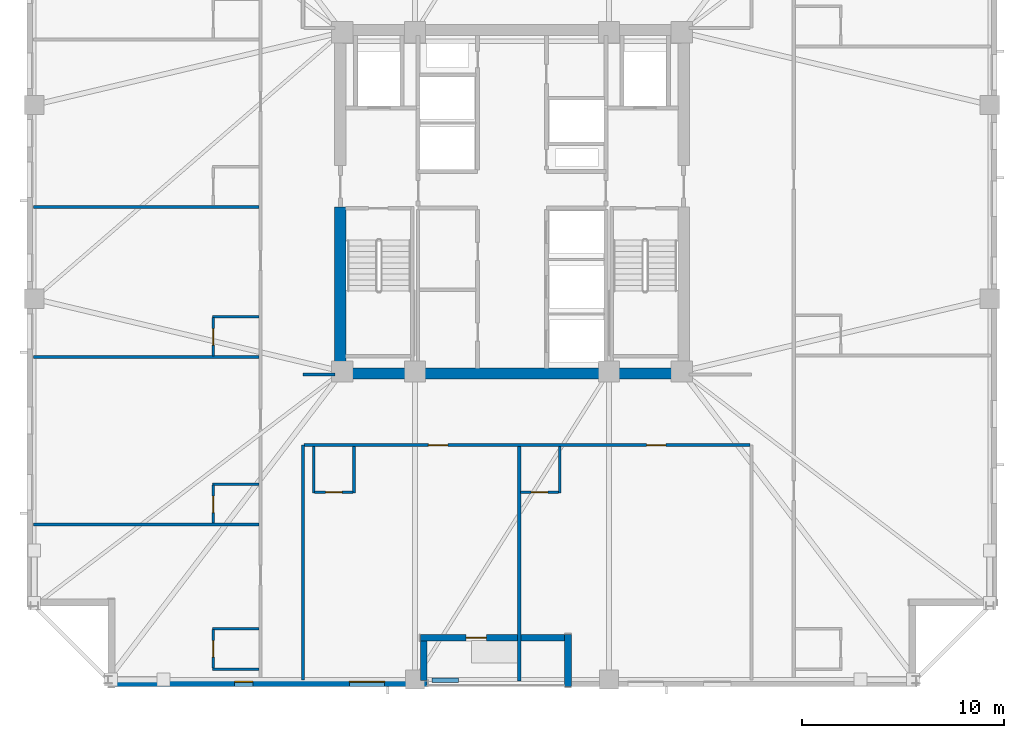
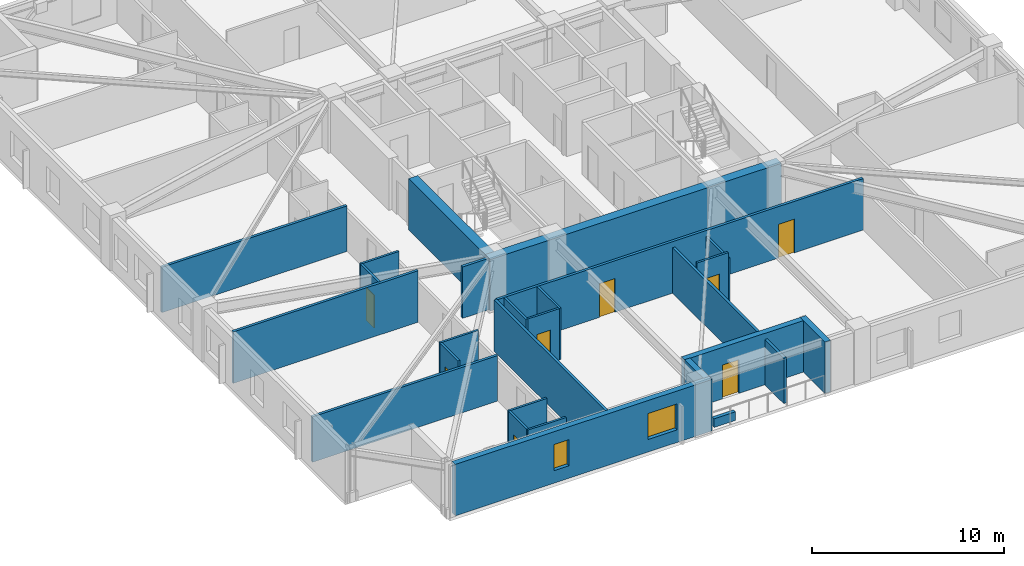
# One storey, part 2 of 11: 26 walls, 8 doors, 2 windows, 10 openings.
"""IFC4 building model written with IfcOpenShell, lengths in metres."""

from ifc_helpers import new_model, si_unit, direction, frame, frame_2d, origin, place, context, subcontext, project, spatial, rectangle, extrude, material, layer, layer_set, type_object, element, fill, save


model = new_model("IFC4")

# Units and contexts
model_context = context("Model", 3, precision=1e-05, world=origin(), true_north=direction((0.0, 1.0)))
body_context = subcontext(model_context, "Body", "Model", "MODEL_VIEW")
ifc_project = project(units=[si_unit("LENGTHUNIT", "METRE"), si_unit("AREAUNIT", "SQUARE_METRE"), si_unit("VOLUMEUNIT", "CUBIC_METRE"), si_unit("PLANEANGLEUNIT", "RADIAN"), si_unit("MASSUNIT", "GRAM", prefix="KILO")], contexts=[model_context])

# Site, building, storey
site_placement = place(None, origin())
site = spatial("IfcSite", under=ifc_project, at=site_placement, CompositionType="ELEMENT")
building_placement = place(site_placement, origin())
building = spatial("IfcBuilding", under=site, at=building_placement, Name="Cairnveth Concourse Tower", CompositionType="ELEMENT")
storey_placement = place(building_placement, frame((0.0, 0.0, 151.5)))
storey = spatial("IfcBuildingStorey", under=building, at=storey_placement, Name="L41", CompositionType="ELEMENT", Elevation=151.5)

# Walls
ifc_material_1 = material(Name="Gypsum Plasterboard Partition", Category="gypsum")
ifc_layer_1 = layer(ifc_material_1, 0.159912109375)
ifc_layer_set_1 = layer_set([ifc_layer_1], Name="Gypsum Plasterboard Partition")
wall_type_1 = type_object("IfcWallType", Name="ACOUSTIC PARTY WALL 180", PredefinedType="PARTITIONING", material=ifc_layer_set_1)
wall_1_placement = place(storey_placement, frame((41.64990234375, 15.324951171875, 0.0), z_axis=(0.0, 0.0, 1.0), x_axis=(0.0, 1.0, 0.0)))
element("IfcWall", 1, at=wall_1_placement, inside=storey, type_object=wall_type_1, Name="Interior Wall IW-L41-037", PredefinedType="PARTITIONING", context=body_context, shape_type="SweptSolid", body=[
    extrude(rectangle(XDim=11.635009765625, YDim=0.159912109375, at=frame_2d((5.8173828125, 0.0))), origin(), (0.0, 0.0, 1.0), 3.280029296875),
])
wall_2_placement = place(storey_placement, frame((41.64990234375, 30.449951171875, 0.0), z_axis=(0.0, 0.0, 1.0), x_axis=(1.0, 0.0, 0.0)))
element("IfcWall", 2, at=wall_2_placement, inside=storey, type_object=wall_type_1, Name="Interior Wall IW-L41-039", PredefinedType="PARTITIONING", context=body_context, shape_type="SweptSolid", body=[
    extrude(rectangle(XDim=1.585205078125, YDim=0.159912109375, at=frame_2d((0.79248046875, 0.0))), origin(), (0.0, 0.0, 1.0), 3.280029296875),
])

# Wall, openings, doors
wall_3_placement = place(storey_placement, frame((41.715087890625, 26.9599609375, 0.0), z_axis=(0.0, 0.0, 1.0), x_axis=(1.0, 0.0, 0.0)))
wall_3 = element("IfcWall", 3, at=wall_3_placement, inside=storey, type_object=wall_type_1, Name="Interior Wall IW-L41-046", PredefinedType="PARTITIONING", context=body_context, shape_type="SweptSolid", body=[
    extrude(rectangle(XDim=22.06982421875, YDim=0.159912109375, at=frame_2d((11.034912109375, 0.0))), origin(), (0.0, 0.0, 1.0), 3.280029296875),
])
opening_1_placement = place(wall_3_placement, frame((6.14990234375, 0.0, 0.0)))
opening_1 = element("IfcOpeningElement", 4, at=opening_1_placement, cuts=wall_3, Name="Opening ID09", PredefinedType="OPENING", context=body_context, shape_type="SweptSolid", body=[
    extrude(rectangle(XDim=0.9599609375, YDim=2.14990234375, at=frame_2d((0.47998046875, 1.074951171875))), frame((0.0, 0.08984375, 0.0), z_axis=(0.0, -1.0, 0.0), x_axis=(1.0, 0.0, 0.0)), (0.0, 0.0, 1.0), 0.179931640625),
])
opening_2_placement = place(wall_3_placement, frame((16.945068359375, 0.0, 0.0)))
opening_2 = element("IfcOpeningElement", 5, at=opening_2_placement, cuts=wall_3, Name="Opening ID09", PredefinedType="OPENING", context=body_context, shape_type="SweptSolid", body=[
    extrude(rectangle(XDim=0.9599609375, YDim=2.14990234375, at=frame_2d((0.47998046875, 1.074951171875))), frame((0.0, 0.08984375, 0.0), z_axis=(0.0, -1.0, 0.0), x_axis=(1.0, 0.0, 0.0)), (0.0, 0.0, 1.0), 0.179931640625),
])
ifc_material_2 = material(Name="Solid Core Hardwood Timber Leaf", Category="wood")
door_type_1 = type_object("IfcDoorType", Name="HOTEL ENTRANCE DOOR 960X2150", OperationType="NOTDEFINED", PredefinedType="DOOR", material=ifc_material_2)
door_1_placement = place(opening_1_placement, origin())
door_1 = element("IfcDoor", 6, at=door_1_placement, inside=storey, type_object=door_type_1, Name="Hotel Room Door L41-S1", OperationType="SINGLE_SWING_LEFT", OverallHeight=2.14990234375, OverallWidth=0.9599609375, PredefinedType="DOOR", context=body_context, shape_type="SweptSolid", body=[
    extrude(rectangle(XDim=0.9599609375, YDim=2.14990234375, at=frame_2d((0.47998046875, 1.074951171875))), frame((0.0, 0.02490234375, 0.0), z_axis=(0.0, -1.0, 0.0), x_axis=(1.0, 0.0, 0.0)), (0.0, 0.0, 1.0), 0.050048828125),
])
fill(opening_1, door_1)
door_2_placement = place(opening_2_placement, origin())
door_2 = element("IfcDoor", 7, at=door_2_placement, inside=storey, type_object=door_type_1, Name="Hotel Room Door L41-S2", OperationType="SINGLE_SWING_LEFT", OverallHeight=2.14990234375, OverallWidth=0.9599609375, PredefinedType="DOOR", context=body_context, shape_type="SweptSolid", body=[
    extrude(rectangle(XDim=0.9599609375, YDim=2.14990234375, at=frame_2d((0.47998046875, 1.074951171875))), frame((0.0, 0.02490234375, 0.0), z_axis=(0.0, -1.0, 0.0), x_axis=(1.0, 0.0, 0.0)), (0.0, 0.0, 1.0), 0.050048828125),
])
fill(opening_2, door_2)

# Walls
wall_4_placement = place(storey_placement, frame((52.360107421875, 15.27001953125, 0.0), z_axis=(0.0, 0.0, 1.0), x_axis=(0.0, 1.0, 0.0)))
element("IfcWall", 8, at=wall_4_placement, inside=storey, type_object=wall_type_1, Name="Interior Wall IW-L41-052", PredefinedType="PARTITIONING", context=body_context, shape_type="SweptSolid", body=[
    extrude(rectangle(XDim=11.60986328125, YDim=0.159912109375, at=frame_2d((5.804931640625, 0.0))), origin(), (0.0, 0.0, 1.0), 2.89599609375),
])
wall_5_placement = place(storey_placement, frame((28.324951171875, 23.026611328125, 0.0), z_axis=(0.0, 0.0, 1.0), x_axis=(1.0, 0.0, 0.0)))
element("IfcWall", 9, at=wall_5_placement, inside=storey, type_object=wall_type_1, Name="Interior Wall IW-L41-058", PredefinedType="PARTITIONING", context=body_context, shape_type="SweptSolid", body=[
    extrude(rectangle(XDim=11.14501953125, YDim=0.159912109375, at=frame_2d((5.572509765625, 0.0))), origin(), (0.0, 0.0, 1.0), 2.89599609375),
])
wall_6_placement = place(storey_placement, frame((28.324951171875, 31.3154296875, 0.0), z_axis=(0.0, 0.0, 1.0), x_axis=(1.0, 0.0, 0.0)))
element("IfcWall", 10, at=wall_6_placement, inside=storey, type_object=wall_type_1, Name="Interior Wall IW-L41-061", PredefinedType="PARTITIONING", context=body_context, shape_type="SweptSolid", body=[
    extrude(rectangle(XDim=11.14501953125, YDim=0.159912109375, at=frame_2d((5.572509765625, 0.0))), origin(), (0.0, 0.0, 1.0), 3.280029296875),
])
wall_7_placement = place(storey_placement, frame((28.324951171875, 38.74658203125, 0.0), z_axis=(0.0, 0.0, 1.0), x_axis=(1.0, 0.0, 0.0)))
element("IfcWall", 11, at=wall_7_placement, inside=storey, type_object=wall_type_1, Name="Interior Wall IW-L41-064", PredefinedType="PARTITIONING", context=body_context, shape_type="SweptSolid", body=[
    extrude(rectangle(XDim=11.14501953125, YDim=0.159912109375, at=frame_2d((5.572509765625, 0.0))), origin(), (0.0, 0.0, 1.0), 2.89599609375),
])
ifc_material_3 = material(Name="Concrete N80 (80 MPa)", Category="concrete")
ifc_layer_2 = layer(ifc_material_3, 0.550048828125)
ifc_layer_set_2 = layer_set([ifc_layer_2], Name="Concrete N80 (80 MPa)")
wall_type_2 = type_object("IfcWallType", Name="CORE SHEAR WALL 550", PredefinedType="SHEAR", material=ifc_layer_set_2)
wall_8_placement = place(storey_placement, frame((43.22509765625, 30.5, 0.0), z_axis=(0.0, 0.0, 1.0), x_axis=(1.0, 0.0, 0.0)))
element("IfcWall", 12, at=wall_8_placement, inside=storey, type_object=wall_type_2, Name="Core South Shear Wall L41", PredefinedType="SHEAR", context=body_context, shape_type="SweptSolid", body=[
    extrude(rectangle(XDim=17.5498046875, YDim=0.550048828125, at=frame_2d((8.77490234375, 0.0))), origin(), (0.0, 0.0, 1.0), 3.280029296875),
])
wall_9_placement = place(storey_placement, frame((43.5, 30.764892578125, 0.0), z_axis=(0.0, 0.0, 1.0), x_axis=(0.0, 1.0, 0.0)))
element("IfcWall", 13, at=wall_9_placement, inside=storey, type_object=wall_type_2, Name="Core West Shear Wall S L41", PredefinedType="SHEAR", context=body_context, shape_type="SweptSolid", body=[
    extrude(rectangle(XDim=7.985107421875, YDim=0.550048828125, at=frame_2d((3.99267578125, 0.0))), origin(), (0.0, 0.0, 1.0), 3.280029296875),
])
ifc_material_4 = material(Name="Dressed Melbourne Bluestone Cladding", Category="masonry")
ifc_layer_3 = layer(ifc_material_4, 0.219970703125)
ifc_layer_set_3 = layer_set([ifc_layer_3], Name="Dressed Melbourne Bluestone Cladding")
wall_type_3 = type_object("IfcWallType", Name="TERRACE PLANTER CURB WALL 220", PredefinedType="PARAPET", material=ifc_layer_set_3)
wall_10_placement = place(storey_placement, frame((48.050048828125, 15.320068359375, 0.0), z_axis=(0.0, 0.0, 1.0), x_axis=(1.0, 0.0, 0.0)))
element("IfcWall", 14, at=wall_10_placement, inside=storey, type_object=wall_type_3, Name="Exterior Wall PLNT-L41-TERR", PredefinedType="PARAPET", context=body_context, shape_type="SweptSolid", body=[
    extrude(rectangle(XDim=1.300048828125, YDim=0.219970703125, at=frame_2d((0.64990234375, 0.0))), origin(), (0.0, 0.0, 1.0), 0.550048828125),
])
ifc_layer_4 = layer(ifc_material_1, 0.1298828125)
ifc_layer_set_4 = layer_set([ifc_layer_4], Name="Gypsum Plasterboard Partition")
wall_type_4 = type_object("IfcWallType", Name="WET AREA PARTITION 140", PredefinedType="PLUMBINGWALL", material=ifc_layer_set_4)
for number, where, z_axis, x_axis, name in (
    (15, (42.179931640625, 24.580078125, 0.0), (0.0, 0.0, 1.0), (0.0, 1.0, 0.0), "Interior Wall IW-L41-049"),
    (16, (44.179931640625, 24.580078125, 0.0), (0.0, 0.0, 1.0), (0.0, 1.0, 0.0), "Interior Wall IW-L41-050"),
):
    element("IfcWall", number, at=place(storey_placement, frame(where, z_axis=z_axis, x_axis=x_axis)), inside=storey, type_object=wall_type_4, Name=name, PredefinedType="PLUMBINGWALL", context=body_context, shape_type="SweptSolid", body=[
        extrude(rectangle(XDim=2.31494140625, YDim=0.1298828125, at=frame_2d((1.157470703125, 0.0))), origin(), (0.0, 0.0, 1.0), 3.280029296875),
    ])

# Wall, opening, door
wall_11_placement = place(storey_placement, frame((42.22998046875, 24.6298828125, 0.0), z_axis=(0.0, 0.0, 1.0), x_axis=(1.0, 0.0, 0.0)))
wall_11 = element("IfcWall", 17, at=wall_11_placement, inside=storey, type_object=wall_type_4, Name="Interior Wall IW-L41-051", PredefinedType="PLUMBINGWALL", context=body_context, shape_type="SweptSolid", body=[
    extrude(rectangle(XDim=1.89990234375, YDim=0.1298828125, at=frame_2d((0.949951171875, 0.0))), origin(), (0.0, 0.0, 1.0), 3.280029296875),
])
opening_3_placement = place(wall_11_placement, frame((0.5400390625, 0.0, 0.0)))
opening_3 = element("IfcOpeningElement", 18, at=opening_3_placement, cuts=wall_11, Name="Opening ID22", PredefinedType="OPENING", context=body_context, shape_type="SweptSolid", body=[
    extrude(rectangle(XDim=0.820068359375, YDim=2.10009765625, at=frame_2d((0.41015625, 1.050048828125))), frame((0.0, 0.074951171875, 0.0), z_axis=(0.0, -1.0, 0.0), x_axis=(1.0, 0.0, 0.0)), (0.0, 0.0, 1.0), 0.14990234375),
])
door_type_2 = type_object("IfcDoorType", Name="INTERIOR WC DOOR 820X2100", OperationType="NOTDEFINED", PredefinedType="DOOR", material=ifc_material_2)
door_3_placement = place(opening_3_placement, origin())
door_3 = element("IfcDoor", 19, at=door_3_placement, inside=storey, type_object=door_type_2, Name="En-Suite Door L41-S1", OperationType="SINGLE_SWING_RIGHT", OverallHeight=2.10009765625, OverallWidth=0.820068359375, PredefinedType="DOOR", context=body_context, shape_type="SweptSolid", body=[
    extrude(rectangle(XDim=0.820068359375, YDim=2.10009765625, at=frame_2d((0.41015625, 1.050048828125))), frame((0.0, 0.02490234375, 0.0), z_axis=(0.0, -1.0, 0.0), x_axis=(1.0, 0.0, 0.0)), (0.0, 0.0, 1.0), 0.050048828125),
])
fill(opening_3, door_3)

# Wall
wall_12_placement = place(storey_placement, frame((54.360107421875, 24.580078125, 0.0), z_axis=(0.0, 0.0, 1.0), x_axis=(0.0, 1.0, 0.0)))
element("IfcWall", 20, at=wall_12_placement, inside=storey, type_object=wall_type_4, Name="Interior Wall IW-L41-053", PredefinedType="PLUMBINGWALL", context=body_context, shape_type="SweptSolid", body=[
    extrude(rectangle(XDim=2.31494140625, YDim=0.1298828125, at=frame_2d((1.157470703125, 0.0))), origin(), (0.0, 0.0, 1.0), 2.89599609375),
])

# Wall, opening, door
wall_13_placement = place(storey_placement, frame((52.425048828125, 24.6298828125, 0.0), z_axis=(0.0, 0.0, 1.0), x_axis=(1.0, 0.0, 0.0)))
wall_13 = element("IfcWall", 21, at=wall_13_placement, inside=storey, type_object=wall_type_4, Name="Interior Wall IW-L41-054", PredefinedType="PLUMBINGWALL", context=body_context, shape_type="SweptSolid", body=[
    extrude(rectangle(XDim=1.885009765625, YDim=0.1298828125, at=frame_2d((0.9423828125, 0.0))), origin(), (0.0, 0.0, 1.0), 3.280029296875),
])
opening_4_placement = place(wall_13_placement, frame((0.52490234375, 0.0, 0.0)))
opening_4 = element("IfcOpeningElement", 22, at=opening_4_placement, cuts=wall_13, Name="Opening ID22", PredefinedType="OPENING", context=body_context, shape_type="SweptSolid", body=[
    extrude(rectangle(XDim=0.820068359375, YDim=2.10009765625, at=frame_2d((0.41015625, 1.050048828125))), frame((0.0, 0.074951171875, 0.0), z_axis=(0.0, -1.0, 0.0), x_axis=(1.0, 0.0, 0.0)), (0.0, 0.0, 1.0), 0.14990234375),
])
door_4_placement = place(opening_4_placement, origin())
door_4 = element("IfcDoor", 23, at=door_4_placement, inside=storey, type_object=door_type_2, Name="En-Suite Door L41-S2", OperationType="SINGLE_SWING_RIGHT", OverallHeight=2.10009765625, OverallWidth=0.820068359375, PredefinedType="DOOR", context=body_context, shape_type="SweptSolid", body=[
    extrude(rectangle(XDim=0.820068359375, YDim=2.10009765625, at=frame_2d((0.41015625, 1.050048828125))), frame((0.0, 0.02490234375, 0.0), z_axis=(0.0, -1.0, 0.0), x_axis=(1.0, 0.0, 0.0)), (0.0, 0.0, 1.0), 0.050048828125),
])
fill(opening_4, door_4)

# Walls
for number, where, z_axis, x_axis, name in (
    (24, (37.169921875, 15.8701171875, 0.0), (0.0, 0.0, 1.0), (1.0, 0.0, 0.0), "Interior Wall IW-L41-055"),
    (25, (37.169921875, 17.8701171875, 0.0), (0.0, 0.0, 1.0), (1.0, 0.0, 0.0), "Interior Wall IW-L41-056"),
):
    element("IfcWall", number, at=place(storey_placement, frame(where, z_axis=z_axis, x_axis=x_axis)), inside=storey, type_object=wall_type_4, Name=name, PredefinedType="PLUMBINGWALL", context=body_context, shape_type="SweptSolid", body=[
        extrude(rectangle(XDim=2.315185546875, YDim=0.1298828125, at=frame_2d((1.15771484375, 0.0))), origin(), (0.0, 0.0, 1.0), 3.280029296875),
    ])

# Wall, opening, door
wall_14_placement = place(storey_placement, frame((37.219970703125, 15.919921875, 0.0), z_axis=(0.0, 0.0, 1.0), x_axis=(0.0, 1.0, 0.0)))
wall_14 = element("IfcWall", 26, at=wall_14_placement, inside=storey, type_object=wall_type_4, Name="Interior Wall IW-L41-057", PredefinedType="PLUMBINGWALL", context=body_context, shape_type="SweptSolid", body=[
    extrude(rectangle(XDim=1.900146484375, YDim=0.1298828125, at=frame_2d((0.9501953125, 0.0))), origin(), (0.0, 0.0, 1.0), 3.280029296875),
])
opening_5_placement = place(wall_14_placement, frame((0.5400390625, 0.0, 0.0)))
opening_5 = element("IfcOpeningElement", 27, at=opening_5_placement, cuts=wall_14, Name="Opening ID22", PredefinedType="OPENING", context=body_context, shape_type="SweptSolid", body=[
    extrude(rectangle(XDim=0.820068359375, YDim=2.10009765625, at=frame_2d((0.41015625, 1.050048828125))), frame((0.0, 0.074951171875, 0.0), z_axis=(0.0, -1.0, 0.0), x_axis=(1.0, 0.0, 0.0)), (0.0, 0.0, 1.0), 0.14990234375),
])
door_5_placement = place(opening_5_placement, origin())
door_5 = element("IfcDoor", 28, at=door_5_placement, inside=storey, type_object=door_type_2, Name="En-Suite Door L41-W1", OperationType="SINGLE_SWING_RIGHT", OverallHeight=2.10009765625, OverallWidth=0.820068359375, PredefinedType="DOOR", context=body_context, shape_type="SweptSolid", body=[
    extrude(rectangle(XDim=0.820068359375, YDim=2.10009765625, at=frame_2d((0.41015625, 1.050048828125))), frame((0.0, 0.02490234375, 0.0), z_axis=(0.0, -1.0, 0.0), x_axis=(1.0, 0.0, 0.0)), (0.0, 0.0, 1.0), 0.050048828125),
])
fill(opening_5, door_5)

# Wall
wall_15_placement = place(storey_placement, frame((37.169921875, 25.026611328125, 0.0), z_axis=(0.0, 0.0, 1.0), x_axis=(1.0, 0.0, 0.0)))
element("IfcWall", 29, at=wall_15_placement, inside=storey, type_object=wall_type_4, Name="Interior Wall IW-L41-059", PredefinedType="PLUMBINGWALL", context=body_context, shape_type="SweptSolid", body=[
    extrude(rectangle(XDim=2.315185546875, YDim=0.1298828125, at=frame_2d((1.15771484375, 0.0))), origin(), (0.0, 0.0, 1.0), 3.280029296875),
])

# Wall, opening, door
wall_16_placement = place(storey_placement, frame((37.219970703125, 23.091552734375, 0.0), z_axis=(0.0, 0.0, 1.0), x_axis=(0.0, 1.0, 0.0)))
wall_16 = element("IfcWall", 30, at=wall_16_placement, inside=storey, type_object=wall_type_4, Name="Interior Wall IW-L41-060", PredefinedType="PLUMBINGWALL", context=body_context, shape_type="SweptSolid", body=[
    extrude(rectangle(XDim=1.885009765625, YDim=0.1298828125, at=frame_2d((0.9423828125, 0.0))), origin(), (0.0, 0.0, 1.0), 3.280029296875),
])
opening_6_placement = place(wall_16_placement, frame((0.52490234375, 0.0, 0.0)))
opening_6 = element("IfcOpeningElement", 31, at=opening_6_placement, cuts=wall_16, Name="Opening ID22", PredefinedType="OPENING", context=body_context, shape_type="SweptSolid", body=[
    extrude(rectangle(XDim=0.820068359375, YDim=2.10009765625, at=frame_2d((0.41015625, 1.050048828125))), frame((0.0, 0.074951171875, 0.0), z_axis=(0.0, -1.0, 0.0), x_axis=(1.0, 0.0, 0.0)), (0.0, 0.0, 1.0), 0.14990234375),
])
door_6_placement = place(opening_6_placement, origin())
door_6 = element("IfcDoor", 32, at=door_6_placement, inside=storey, type_object=door_type_2, Name="En-Suite Door L41-W2", OperationType="SINGLE_SWING_RIGHT", OverallHeight=2.10009765625, OverallWidth=0.820068359375, PredefinedType="DOOR", context=body_context, shape_type="SweptSolid", body=[
    extrude(rectangle(XDim=0.820068359375, YDim=2.10009765625, at=frame_2d((0.41015625, 1.050048828125))), frame((0.0, 0.02490234375, 0.0), z_axis=(0.0, -1.0, 0.0), x_axis=(1.0, 0.0, 0.0)), (0.0, 0.0, 1.0), 0.050048828125),
])
fill(opening_6, door_6)

# Wall
wall_17_placement = place(storey_placement, frame((37.169921875, 33.3154296875, 0.0), z_axis=(0.0, 0.0, 1.0), x_axis=(1.0, 0.0, 0.0)))
element("IfcWall", 33, at=wall_17_placement, inside=storey, type_object=wall_type_4, Name="Interior Wall IW-L41-062", PredefinedType="PLUMBINGWALL", context=body_context, shape_type="SweptSolid", body=[
    extrude(rectangle(XDim=2.315185546875, YDim=0.1298828125, at=frame_2d((1.15771484375, 0.0))), origin(), (0.0, 0.0, 1.0), 3.280029296875),
])

# Wall, opening, door
wall_18_placement = place(storey_placement, frame((37.219970703125, 31.380615234375, 0.0), z_axis=(0.0, 0.0, 1.0), x_axis=(0.0, 1.0, 0.0)))
wall_18 = element("IfcWall", 34, at=wall_18_placement, inside=storey, type_object=wall_type_4, Name="Interior Wall IW-L41-063", PredefinedType="PLUMBINGWALL", context=body_context, shape_type="SweptSolid", body=[
    extrude(rectangle(XDim=1.884765625, YDim=0.1298828125, at=frame_2d((0.9423828125, 0.0))), origin(), (0.0, 0.0, 1.0), 3.280029296875),
])
opening_7_placement = place(wall_18_placement, frame((0.52490234375, 0.0, 0.0)))
opening_7 = element("IfcOpeningElement", 35, at=opening_7_placement, cuts=wall_18, Name="Opening ID22", PredefinedType="OPENING", context=body_context, shape_type="SweptSolid", body=[
    extrude(rectangle(XDim=0.820068359375, YDim=2.10009765625, at=frame_2d((0.41015625, 1.050048828125))), frame((0.0, 0.074951171875, 0.0), z_axis=(0.0, -1.0, 0.0), x_axis=(1.0, 0.0, 0.0)), (0.0, 0.0, 1.0), 0.14990234375),
])
door_7_placement = place(opening_7_placement, origin())
door_7 = element("IfcDoor", 36, at=door_7_placement, inside=storey, type_object=door_type_2, Name="En-Suite Door L41-W3", OperationType="SINGLE_SWING_RIGHT", OverallHeight=2.10009765625, OverallWidth=0.820068359375, PredefinedType="DOOR", context=body_context, shape_type="SweptSolid", body=[
    extrude(rectangle(XDim=0.820068359375, YDim=2.10009765625, at=frame_2d((0.41015625, 1.050048828125))), frame((0.0, 0.02490234375, 0.0), z_axis=(0.0, -1.0, 0.0), x_axis=(1.0, 0.0, 0.0)), (0.0, 0.0, 1.0), 0.050048828125),
])
fill(opening_7, door_7)

# Wall, openings, windows
ifc_material_5 = material(Name="Hawthorn Red-Ochre Fired Clay Brick Masonry", Category="masonry")
ifc_layer_5 = layer(ifc_material_5, 0.340087890625)
ifc_layer_set_5 = layer_set([ifc_layer_5], Name="Hawthorn Red-Ochre Fired Clay Brick Masonry")
wall_type_5 = type_object("IfcWallType", Name="ZONE 2 BRICK PIER SPANDREL WALL 340", PredefinedType="SOLIDWALL", material=ifc_layer_set_5)
wall_19_placement = place(storey_placement, frame((47.800048828125, 15.169921875, 0.0), z_axis=(0.0, 0.0, 1.0), x_axis=(-1.0, 0.0, 0.0)))
wall_19 = element("IfcWall", 37, at=wall_19_placement, inside=storey, type_object=wall_type_5, Name="Exterior Wall EW-L41-S00", PredefinedType="SOLIDWALL", context=body_context, shape_type="SweptSolid", body=[
    extrude(rectangle(XDim=15.48193359375, YDim=0.340087890625, at=frame_2d((7.740966796875, 0.0))), origin(), (0.0, 0.0, 1.0), 3.280029296875),
])
opening_8_placement = place(wall_19_placement, frame((2.105224609375, 0.0, 0.800048828125)))
opening_8 = element("IfcOpeningElement", 38, at=opening_8_placement, cuts=wall_19, Name="Opening W06", PredefinedType="OPENING", context=body_context, shape_type="SweptSolid", body=[
    extrude(rectangle(XDim=1.75, YDim=1.659912109375, at=frame_2d((0.875, 0.830078125))), frame((0.0, 0.179931640625, 0.0), z_axis=(0.0, -1.0, 0.0), x_axis=(1.0, 0.0, 0.0)), (0.0, 0.0, 1.0), 0.360107421875),
])
opening_9_placement = place(wall_19_placement, frame((8.6298828125, 0.0, 0.800048828125)))
opening_9 = element("IfcOpeningElement", 39, at=opening_9_placement, cuts=wall_19, Name="Opening W13", PredefinedType="OPENING", context=body_context, shape_type="SweptSolid", body=[
    extrude(rectangle(XDim=0.89990234375, YDim=1.659912109375, at=frame_2d((0.449951171875, 0.830078125))), frame((0.0, 0.179931640625, 0.0), z_axis=(0.0, -1.0, 0.0), x_axis=(1.0, 0.0, 0.0)), (0.0, 0.0, 1.0), 0.360107421875),
])
ifc_material_6 = material(Name="Double Glazed Low-E Clear Glass", Category="glass")
window_type_1 = type_object("IfcWindowType", Name="DEEP-SET BEDROOM LANCET WINDOW 900X1750", PartitioningType="DOUBLE_PANEL_VERTICAL", PredefinedType="WINDOW", material=ifc_material_6)
window_1_placement = place(opening_9_placement, origin())
window_1 = element("IfcWindow", 40, at=window_1_placement, inside=storey, type_object=window_type_1, Name="Dwelling Lancet Window L41-DW1", OverallHeight=1.659912109375, OverallWidth=0.89990234375, PartitioningType="SINGLE_PANEL", PredefinedType="WINDOW", context=body_context, shape_type="SweptSolid", body=[
    extrude(rectangle(XDim=0.89990234375, YDim=1.659912109375, at=frame_2d((0.449951171875, 0.830078125))), frame((0.0, -0.0400390625, 0.0), z_axis=(0.0, -1.0, 0.0), x_axis=(1.0, 0.0, 0.0)), (0.0, 0.0, 1.0), 0.06005859375),
])
fill(opening_9, window_1)
window_type_2 = type_object("IfcWindowType", Name="DEEP-SET HOTEL SUITE WINDOW 1750X1800", PartitioningType="DOUBLE_PANEL_VERTICAL", PredefinedType="WINDOW", material=ifc_material_6)
window_2_placement = place(opening_8_placement, origin())
window_2 = element("IfcWindow", 41, at=window_2_placement, inside=storey, type_object=window_type_2, Name="Gothic Lancet Window L41-0-1", OverallHeight=1.659912109375, OverallWidth=1.75, PartitioningType="SINGLE_PANEL", PredefinedType="WINDOW", context=body_context, shape_type="SweptSolid", body=[
    extrude(rectangle(XDim=1.75, YDim=1.659912109375, at=frame_2d((0.875, 0.830078125))), frame((0.0, -0.050048828125, 0.0), z_axis=(0.0, -1.0, 0.0), x_axis=(1.0, 0.0, 0.0)), (0.0, 0.0, 1.0), 0.06005859375),
])
fill(opening_8, window_2)

# Wall
wall_20_placement = place(storey_placement, frame((54.77001953125, 15.0, 0.0), z_axis=(0.0, 0.0, 1.0), x_axis=(0.0, 1.0, 0.0)))
element("IfcWall", 42, at=wall_20_placement, inside=storey, type_object=wall_type_5, Name="Exterior Wall EW-L41-S13", PredefinedType="SOLIDWALL", context=body_context, shape_type="SweptSolid", body=[
    extrude(rectangle(XDim=2.590087890625, YDim=0.340087890625, at=frame_2d((1.294921875, 0.0))), origin(), (0.0, 0.0, 1.0), 3.280029296875),
])

# Wall, opening, door
wall_21_placement = place(storey_placement, frame((54.6220703125, 17.419921875, 0.0), z_axis=(0.0, 0.0, 1.0), x_axis=(-1.0, 0.0, 0.0)))
wall_21 = element("IfcWall", 43, at=wall_21_placement, inside=storey, type_object=wall_type_5, Name="Exterior Wall EW-L41-S14", PredefinedType="SOLIDWALL", context=body_context, shape_type="SweptSolid", body=[
    extrude(rectangle(XDim=7.162109375, YDim=0.340087890625, at=frame_2d((3.5810546875, 0.0))), origin(), (0.0, 0.0, 1.0), 3.280029296875),
])
opening_10_placement = place(wall_21_placement, frame((3.886962890625, 0.0, 0.0)))
opening_10 = element("IfcOpeningElement", 44, at=opening_10_placement, cuts=wall_21, Name="Opening ED4", PredefinedType="OPENING", context=body_context, shape_type="SweptSolid", body=[
    extrude(rectangle(XDim=1.0, YDim=2.14990234375, at=frame_2d((0.5, 1.074951171875))), frame((0.0, 0.179931640625, 0.0), z_axis=(0.0, -1.0, 0.0), x_axis=(1.0, 0.0, 0.0)), (0.0, 0.0, 1.0), 0.360107421875),
])
ifc_material_7 = material(Name="Architectural Bronze Anodised Aluminium 6063-T6", Category="aluminium")
door_type_3 = type_object("IfcDoorType", Name="TERRACE GLAZED DOOR 1000X2150", OperationType="NOTDEFINED", PredefinedType="DOOR", material=ifc_material_7)
door_8_placement = place(opening_10_placement, origin())
door_8 = element("IfcDoor", 45, at=door_8_placement, inside=storey, type_object=door_type_3, Name="Spiral Terrace Door L41", OperationType="SINGLE_SWING_RIGHT", OverallHeight=2.14990234375, OverallWidth=1.0, PredefinedType="DOOR", context=body_context, shape_type="SweptSolid", body=[
    extrude(rectangle(XDim=1.0, YDim=2.14990234375, at=frame_2d((0.5, 1.074951171875))), frame((0.0, 0.02490234375, 0.0), z_axis=(0.0, -1.0, 0.0), x_axis=(1.0, 0.0, 0.0)), (0.0, 0.0, 1.0), 0.050048828125),
])
fill(opening_10, door_8)

# Wall
wall_22_placement = place(storey_placement, frame((47.6298828125, 17.27197265625, 0.0), z_axis=(0.0, 0.0, 1.0), x_axis=(0.0, -1.0, 0.0)))
element("IfcWall", 46, at=wall_22_placement, inside=storey, type_object=wall_type_5, Name="Exterior Wall EW-L41-S15", PredefinedType="SOLIDWALL", context=body_context, shape_type="SweptSolid", body=[
    extrude(rectangle(XDim=1.953857421875, YDim=0.340087890625, at=frame_2d((0.97705078125, 0.0))), origin(), (0.0, 0.0, 1.0), 3.280029296875),
])

save(model, "model.ifc")
